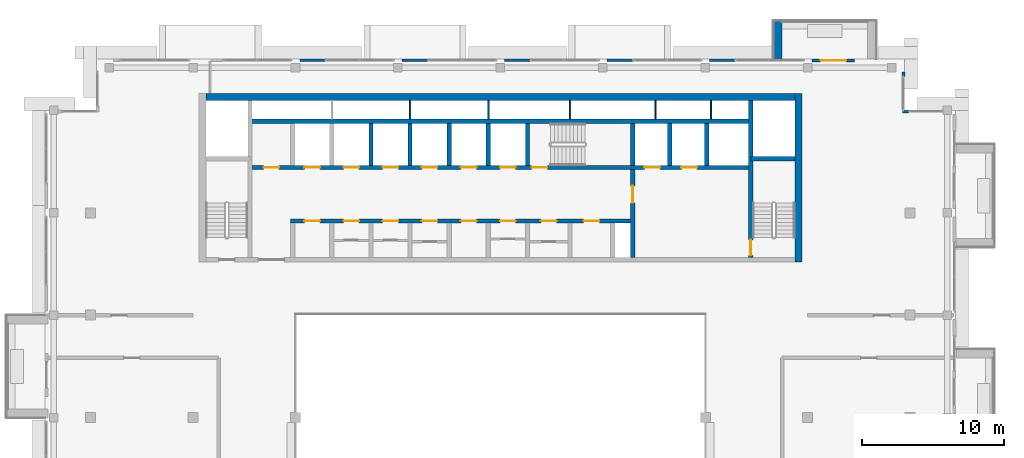
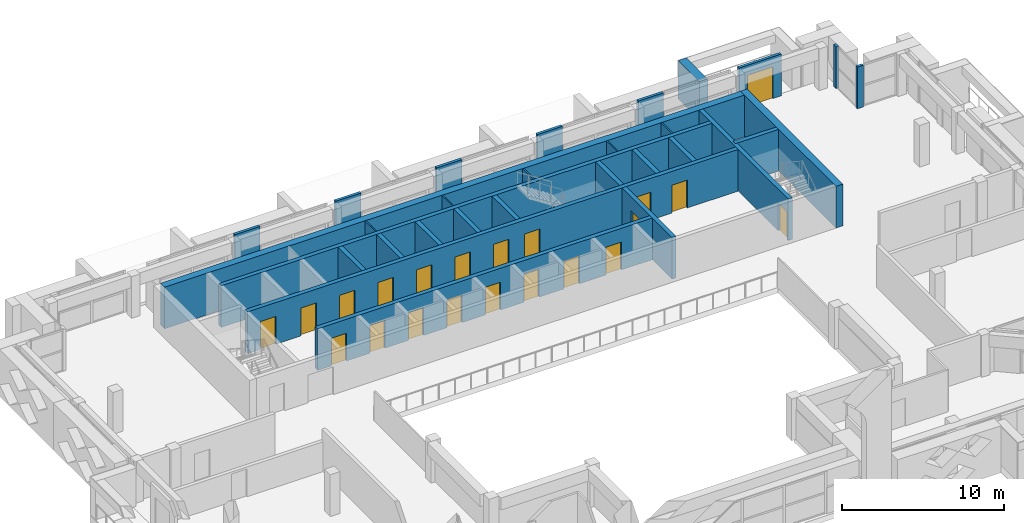
# One storey, part 14 of 22: 30 walls, 21 doors, 21 openings.
"""IFC4 building model written with IfcOpenShell, lengths in metres."""

from ifc_helpers import new_model, si_unit, direction, frame, frame_2d, origin, place, context, subcontext, project, spatial, rectangle, extrude, material, layer, layer_set, type_object, element, fill, save


model = new_model("IFC4")

# Units and contexts
model_context = context("Model", 3, precision=1e-05, world=origin(), true_north=direction((0.0, 1.0)))
body_context = subcontext(model_context, "Body", "Model", "MODEL_VIEW")
ifc_project = project(units=[si_unit("LENGTHUNIT", "METRE"), si_unit("AREAUNIT", "SQUARE_METRE"), si_unit("VOLUMEUNIT", "CUBIC_METRE"), si_unit("PLANEANGLEUNIT", "RADIAN"), si_unit("MASSUNIT", "GRAM", prefix="KILO")], contexts=[model_context])

# Site, building, storey
site_placement = place(None, origin())
site = spatial("IfcSite", under=ifc_project, at=site_placement, CompositionType="ELEMENT")
building_placement = place(site_placement, origin())
building = spatial("IfcBuilding", under=site, at=building_placement, Name="Saffron Iwan Residences", CompositionType="ELEMENT")
storey_placement = place(building_placement, frame((0.0, 0.0, 271.0)))
storey = spatial("IfcBuildingStorey", under=building, at=storey_placement, Name="L73", CompositionType="ELEMENT", Elevation=271.0)

# Walls
ifc_material_1 = material(Name="Concrete C50/60 white painted", Category="concrete")
ifc_layer_1 = layer(ifc_material_1, 0.60009765625)
ifc_layer_set_1 = layer_set([ifc_layer_1], Name="Concrete C50/60 white painted")
wall_type_1 = type_object("IfcWallType", Name="BALCONY FIN 600", PredefinedType="SOLIDWALL", material=ifc_layer_set_1)
wall_1_placement = place(storey_placement, frame((69.89990234375, 80.449951171875, 0.0), z_axis=(0.0, 0.0, 1.0), x_axis=(0.0, 1.0, 0.0)))
element("IfcWall", 1, at=wall_1_placement, inside=storey, type_object=wall_type_1, Name="Balcony fin L73 F5-0b", PredefinedType="SOLIDWALL", context=body_context, shape_type="SweptSolid", body=[
    extrude(rectangle(XDim=2.650146484375, YDim=0.60009765625, at=frame_2d((1.3251953125, 0.0))), origin(), (0.0, 0.0, 1.0), 2.90087890625),
])
ifc_material_2 = material(Name="Concrete C40/50", Category="concrete")
ifc_layer_2 = layer(ifc_material_2, 0.199951171875)
ifc_layer_set_2 = layer_set([ifc_layer_2], Name="Concrete C40/50")
wall_type_2 = type_object("IfcWallType", Name="EXTERNAL WALL 200", PredefinedType="SOLIDWALL", material=ifc_layer_set_2)
wall_2_placement = place(storey_placement, frame((79.10009765625, 76.719970703125, 0.0), z_axis=(0.0, 0.0, 1.0), x_axis=(-1.0, 0.0, 0.0)))
element("IfcWall", 2, at=wall_2_placement, inside=storey, type_object=wall_type_2, Name="External wall infill CWE-L73-F3-0", PredefinedType="SOLIDWALL", context=body_context, shape_type="SweptSolid", body=[
    extrude(rectangle(XDim=0.43017578125, YDim=0.199951171875, at=frame_2d((0.215087890625, 0.0))), origin(), (0.0, 0.0, 1.0), 3.14990234375),
])
wall_3_placement = place(storey_placement, frame((78.719970703125, 79.169921875, 0.0), z_axis=(0.0, 0.0, 1.0), x_axis=(0.0, 1.0, 0.0)))
element("IfcWall", 3, at=wall_3_placement, inside=storey, type_object=wall_type_2, Name="External wall infill CWE-L73-F4-0", PredefinedType="SOLIDWALL", context=body_context, shape_type="SweptSolid", body=[
    extrude(rectangle(XDim=0.330078125, YDim=0.199951171875, at=frame_2d((0.1650390625, 0.0))), origin(), (0.0, 0.0, 1.0), 3.14990234375),
])

# Wall, opening, door
wall_4_placement = place(storey_placement, frame((75.300048828125, 80.300048828125, 0.0), z_axis=(0.0, 0.0, 1.0), x_axis=(-1.0, 0.0, 0.0)))
wall_4 = element("IfcWall", 4, at=wall_4_placement, inside=storey, type_object=wall_type_2, Name="External wall L73 F5.D0", PredefinedType="SOLIDWALL", context=body_context, shape_type="SweptSolid", body=[
    extrude(rectangle(XDim=3.0, YDim=0.199951171875, at=frame_2d((1.5, 0.0))), origin(), (0.0, 0.0, 1.0), 3.14990234375),
])
opening_1_placement = place(wall_4_placement, frame((0.60009765625, 0.0, 0.0)))
opening_1 = element("IfcOpeningElement", 5, at=opening_1_placement, cuts=wall_4, Name="Opening BD1", PredefinedType="OPENING", context=body_context, shape_type="SweptSolid", body=[
    extrude(rectangle(XDim=1.800048828125, YDim=2.39990234375, at=frame_2d((0.89990234375, 1.199951171875))), frame((0.0, 0.10986328125, 0.0), z_axis=(0.0, -1.0, 0.0), x_axis=(1.0, 0.0, 0.0)), (0.0, 0.0, 1.0), 0.219970703125),
])
ifc_material_3 = material(Name="Clear glass, laminated double glazed", Category="glass")
door_type_1 = type_object("IfcDoorType", Name="BALCONY DOOR 1800 x 2400", OperationType="DOUBLE_DOOR_SLIDING", PredefinedType="DOOR", material=ifc_material_3)
door_1_placement = place(opening_1_placement, origin())
door_1 = element("IfcDoor", 6, at=door_1_placement, inside=storey, type_object=door_type_1, Name="Terrace door L73 F5.0", OperationType="DOUBLE_DOOR_SLIDING", OverallHeight=2.39990234375, OverallWidth=1.800048828125, PredefinedType="DOOR", context=body_context, shape_type="SweptSolid", body=[
    extrude(rectangle(XDim=1.800048828125, YDim=2.39990234375, at=frame_2d((0.89990234375, 1.199951171875))), frame((0.0, 0.02490234375, 0.0), z_axis=(0.0, -1.0, 0.0), x_axis=(1.0, 0.0, 0.0)), (0.0, 0.0, 1.0), 0.050048828125),
])
fill(opening_1, door_1)

# Walls
wall_5_placement = place(storey_placement, frame((66.89990234375, 80.320068359375, 0.0), z_axis=(0.0, 0.0, 1.0), x_axis=(-1.0, 0.0, 0.0)))
element("IfcWall", 7, at=wall_5_placement, inside=storey, type_object=wall_type_2, Name="External wall infill CWE-L73-F5-1", PredefinedType="SOLIDWALL", context=body_context, shape_type="SweptSolid", body=[
    extrude(rectangle(XDim=1.7998046875, YDim=0.199951171875, at=frame_2d((0.89990234375, 0.0))), origin(), (0.0, 0.0, 1.0), 3.14990234375),
])
for number, where, z_axis, x_axis, name in (
    (8, (59.699951171875, 80.320068359375, 0.0), (0.0, 0.0, 1.0), (-1.0, 0.0, 0.0), "External wall infill CWE-L73-F5-2"),
    (9, (52.5, 80.320068359375, 0.0), (0.0, 0.0, 1.0), (-1.0, 0.0, 0.0), "External wall infill CWE-L73-F5-3"),
    (10, (45.300048828125, 80.320068359375, 0.0), (0.0, 0.0, 1.0), (-1.0, 0.0, 0.0), "External wall infill CWE-L73-F5-4"),
    (11, (38.10009765625, 80.320068359375, 0.0), (0.0, 0.0, 1.0), (-1.0, 0.0, 0.0), "External wall infill CWE-L73-F5-5"),
):
    element("IfcWall", number, at=place(storey_placement, frame(where, z_axis=z_axis, x_axis=x_axis)), inside=storey, type_object=wall_type_2, Name=name, PredefinedType="SOLIDWALL", context=body_context, shape_type="SweptSolid", body=[
        extrude(rectangle(XDim=1.800048828125, YDim=0.199951171875, at=frame_2d((0.89990234375, 0.0))), origin(), (0.0, 0.0, 1.0), 3.14990234375),
    ])
ifc_material_4 = material(Name="Fire-rated plasterboard partition")
ifc_layer_3 = layer(ifc_material_4, 0.10009765625)
ifc_layer_set_3 = layer_set([ifc_layer_3], Name="Fire-rated plasterboard partition")
wall_type_3 = type_object("IfcWallType", Name="Riser partition 100", PredefinedType="PARTITIONING", material=ifc_layer_set_3)
for number, where, z_axis, x_axis, name in (
    (12, (44.050048828125, 76.175048828125, 0.0), (0.0, 0.0, 1.0), (0.0, 1.0, 0.0), "Core partition P07"),
    (13, (49.550048828125, 76.175048828125, 0.0), (0.0, 0.0, 1.0), (0.0, 1.0, 0.0), "Core partition P08"),
    (14, (55.300048828125, 76.175048828125, 0.0), (0.0, 0.0, 1.0), (0.0, 1.0, 0.0), "Core partition P09"),
    (15, (61.300048828125, 76.175048828125, 0.0), (0.0, 0.0, 1.0), (0.0, 1.0, 0.0), "Core partition P10"),
    (16, (65.199951171875, 76.175048828125, 0.0), (0.0, 0.0, 1.0), (0.0, 1.0, 0.0), "Core partition P11"),
):
    element("IfcWall", number, at=place(storey_placement, frame(where, z_axis=z_axis, x_axis=x_axis)), inside=storey, type_object=wall_type_3, Name=name, PredefinedType="PARTITIONING", context=body_context, shape_type="SweptSolid", body=[
        extrude(rectangle(XDim=1.324951171875, YDim=0.10009765625, at=frame_2d((0.66259765625, 0.0))), origin(), (0.0, 0.0, 1.0), 3.14990234375),
    ])

# Wall, openings, doors
ifc_layer_4 = layer(ifc_material_2, 0.300048828125)
ifc_layer_set_4 = layer_set([ifc_layer_4], Name="Concrete C40/50")
wall_type_4 = type_object("IfcWallType", Name="WALL CORE 300 C40/50 3150 HIGH", PredefinedType="SHEAR", material=ifc_layer_set_4)
wall_6_placement = place(storey_placement, frame((35.64990234375, 69.02490234375, 0.0), z_axis=(0.0, 0.0, 1.0), x_axis=(1.0, 0.0, 0.0)))
wall_6 = element("IfcWall", 17, at=wall_6_placement, inside=storey, type_object=wall_type_4, Name="Core wall", PredefinedType="SHEAR", context=body_context, shape_type="SweptSolid", body=[
    extrude(rectangle(XDim=24.050048828125, YDim=0.300048828125, at=frame_2d((12.02490234375, 0.0))), origin(), (0.0, 0.0, 1.0), 3.14990234375),
])
opening_2_placement = place(wall_6_placement, frame((0.97509765625, 0.0, 0.0)))
opening_2 = element("IfcOpeningElement", 18, at=opening_2_placement, cuts=wall_6, Name="Opening SR", PredefinedType="OPENING", context=body_context, shape_type="SweptSolid", body=[
    extrude(rectangle(XDim=1.10009765625, YDim=2.10009765625, at=frame_2d((0.550048828125, 1.050048828125))), frame((0.0, 0.16015625, 0.0), z_axis=(0.0, -1.0, 0.0), x_axis=(1.0, 0.0, 0.0)), (0.0, 0.0, 1.0), 0.320068359375),
])
opening_3_placement = place(wall_6_placement, frame((3.72509765625, 0.0, 0.0)))
opening_3 = element("IfcOpeningElement", 19, at=opening_3_placement, cuts=wall_6, Name="Opening SR", PredefinedType="OPENING", context=body_context, shape_type="SweptSolid", body=[
    extrude(rectangle(XDim=1.10009765625, YDim=2.10009765625, at=frame_2d((0.550048828125, 1.050048828125))), frame((0.0, 0.16015625, 0.0), z_axis=(0.0, -1.0, 0.0), x_axis=(1.0, 0.0, 0.0)), (0.0, 0.0, 1.0), 0.320068359375),
])
opening_4_placement = place(wall_6_placement, frame((6.47509765625, 0.0, 0.0)))
opening_4 = element("IfcOpeningElement", 20, at=opening_4_placement, cuts=wall_6, Name="Opening SR", PredefinedType="OPENING", context=body_context, shape_type="SweptSolid", body=[
    extrude(rectangle(XDim=1.10009765625, YDim=2.10009765625, at=frame_2d((0.550048828125, 1.050048828125))), frame((0.0, 0.16015625, 0.0), z_axis=(0.0, -1.0, 0.0), x_axis=(1.0, 0.0, 0.0)), (0.0, 0.0, 1.0), 0.320068359375),
])
opening_5_placement = place(wall_6_placement, frame((9.22509765625, 0.0, 0.0)))
opening_5 = element("IfcOpeningElement", 21, at=opening_5_placement, cuts=wall_6, Name="Opening SR", PredefinedType="OPENING", context=body_context, shape_type="SweptSolid", body=[
    extrude(rectangle(XDim=1.10009765625, YDim=2.10009765625, at=frame_2d((0.550048828125, 1.050048828125))), frame((0.0, 0.16015625, 0.0), z_axis=(0.0, -1.0, 0.0), x_axis=(1.0, 0.0, 0.0)), (0.0, 0.0, 1.0), 0.320068359375),
])
opening_6_placement = place(wall_6_placement, frame((11.97509765625, 0.0, 0.0)))
opening_6 = element("IfcOpeningElement", 22, at=opening_6_placement, cuts=wall_6, Name="Opening SR", PredefinedType="OPENING", context=body_context, shape_type="SweptSolid", body=[
    extrude(rectangle(XDim=1.10009765625, YDim=2.10009765625, at=frame_2d((0.550048828125, 1.050048828125))), frame((0.0, 0.16015625, 0.0), z_axis=(0.0, -1.0, 0.0), x_axis=(1.0, 0.0, 0.0)), (0.0, 0.0, 1.0), 0.320068359375),
])
opening_7_placement = place(wall_6_placement, frame((14.72509765625, 0.0, 0.0)))
opening_7 = element("IfcOpeningElement", 23, at=opening_7_placement, cuts=wall_6, Name="Opening SR", PredefinedType="OPENING", context=body_context, shape_type="SweptSolid", body=[
    extrude(rectangle(XDim=1.10009765625, YDim=2.10009765625, at=frame_2d((0.550048828125, 1.050048828125))), frame((0.0, 0.16015625, 0.0), z_axis=(0.0, -1.0, 0.0), x_axis=(1.0, 0.0, 0.0)), (0.0, 0.0, 1.0), 0.320068359375),
])
opening_8_placement = place(wall_6_placement, frame((17.60009765625, 0.0, 0.0)))
opening_8 = element("IfcOpeningElement", 24, at=opening_8_placement, cuts=wall_6, Name="Opening SR", PredefinedType="OPENING", context=body_context, shape_type="SweptSolid", body=[
    extrude(rectangle(XDim=1.10009765625, YDim=2.10009765625, at=frame_2d((0.550048828125, 1.050048828125))), frame((0.0, 0.16015625, 0.0), z_axis=(0.0, -1.0, 0.0), x_axis=(1.0, 0.0, 0.0)), (0.0, 0.0, 1.0), 0.320068359375),
])
opening_9_placement = place(wall_6_placement, frame((20.60009765625, 0.0, 0.0)))
opening_9 = element("IfcOpeningElement", 25, at=opening_9_placement, cuts=wall_6, Name="Opening SR", PredefinedType="OPENING", context=body_context, shape_type="SweptSolid", body=[
    extrude(rectangle(XDim=1.10009765625, YDim=2.10009765625, at=frame_2d((0.550048828125, 1.050048828125))), frame((0.0, 0.16015625, 0.0), z_axis=(0.0, -1.0, 0.0), x_axis=(1.0, 0.0, 0.0)), (0.0, 0.0, 1.0), 0.320068359375),
])
ifc_material_5 = material(Name="Steel fire door", Category="steel")
door_type_2 = type_object("IfcDoorType", Name="Service door 1100", OperationType="NOTDEFINED", PredefinedType="DOOR", material=ifc_material_5)
door_2_placement = place(opening_2_placement, origin())
door_2 = element("IfcDoor", 26, at=door_2_placement, inside=storey, type_object=door_type_2, Name="Door Communications room", OperationType="SINGLE_SWING_RIGHT", OverallHeight=2.10009765625, OverallWidth=1.10009765625, PredefinedType="DOOR", context=body_context, shape_type="SweptSolid", body=[
    extrude(rectangle(XDim=1.10009765625, YDim=2.10009765625, at=frame_2d((0.550048828125, 1.050048828125))), frame((0.0, 0.02490234375, 0.0), z_axis=(0.0, -1.0, 0.0), x_axis=(1.0, 0.0, 0.0)), (0.0, 0.0, 1.0), 0.050048828125),
])
fill(opening_2, door_2)
door_3_placement = place(opening_3_placement, origin())
door_3 = element("IfcDoor", 27, at=door_3_placement, inside=storey, type_object=door_type_2, Name="Door Switch room", OperationType="SINGLE_SWING_LEFT", OverallHeight=2.10009765625, OverallWidth=1.10009765625, PredefinedType="DOOR", context=body_context, shape_type="SweptSolid", body=[
    extrude(rectangle(XDim=1.10009765625, YDim=2.10009765625, at=frame_2d((0.550048828125, 1.050048828125))), frame((0.0, 0.02490234375, 0.0), z_axis=(0.0, -1.0, 0.0), x_axis=(1.0, 0.0, 0.0)), (0.0, 0.0, 1.0), 0.050048828125),
])
fill(opening_3, door_3)
door_4_placement = place(opening_4_placement, origin())
door_4 = element("IfcDoor", 28, at=door_4_placement, inside=storey, type_object=door_type_2, Name="Door Furniture store", OperationType="SINGLE_SWING_RIGHT", OverallHeight=2.10009765625, OverallWidth=1.10009765625, PredefinedType="DOOR", context=body_context, shape_type="SweptSolid", body=[
    extrude(rectangle(XDim=1.10009765625, YDim=2.10009765625, at=frame_2d((0.550048828125, 1.050048828125))), frame((0.0, 0.02490234375, 0.0), z_axis=(0.0, -1.0, 0.0), x_axis=(1.0, 0.0, 0.0)), (0.0, 0.0, 1.0), 0.050048828125),
])
fill(opening_4, door_4)
door_5_placement = place(opening_5_placement, origin())
door_5 = element("IfcDoor", 29, at=door_5_placement, inside=storey, type_object=door_type_2, Name="Door Housekeeping store", OperationType="SINGLE_SWING_LEFT", OverallHeight=2.10009765625, OverallWidth=1.10009765625, PredefinedType="DOOR", context=body_context, shape_type="SweptSolid", body=[
    extrude(rectangle(XDim=1.10009765625, YDim=2.10009765625, at=frame_2d((0.550048828125, 1.050048828125))), frame((0.0, 0.02490234375, 0.0), z_axis=(0.0, -1.0, 0.0), x_axis=(1.0, 0.0, 0.0)), (0.0, 0.0, 1.0), 0.050048828125),
])
fill(opening_5, door_5)
door_6_placement = place(opening_6_placement, origin())
door_6 = element("IfcDoor", 30, at=door_6_placement, inside=storey, type_object=door_type_2, Name="Door Cleaner's store", OperationType="SINGLE_SWING_RIGHT", OverallHeight=2.10009765625, OverallWidth=1.10009765625, PredefinedType="DOOR", context=body_context, shape_type="SweptSolid", body=[
    extrude(rectangle(XDim=1.10009765625, YDim=2.10009765625, at=frame_2d((0.550048828125, 1.050048828125))), frame((0.0, 0.02490234375, 0.0), z_axis=(0.0, -1.0, 0.0), x_axis=(1.0, 0.0, 0.0)), (0.0, 0.0, 1.0), 0.050048828125),
])
fill(opening_6, door_6)
door_7_placement = place(opening_7_placement, origin())
door_7 = element("IfcDoor", 31, at=door_7_placement, inside=storey, type_object=door_type_2, Name="Door Trolley store", OperationType="SINGLE_SWING_LEFT", OverallHeight=2.10009765625, OverallWidth=1.10009765625, PredefinedType="DOOR", context=body_context, shape_type="SweptSolid", body=[
    extrude(rectangle(XDim=1.10009765625, YDim=2.10009765625, at=frame_2d((0.550048828125, 1.050048828125))), frame((0.0, 0.02490234375, 0.0), z_axis=(0.0, -1.0, 0.0), x_axis=(1.0, 0.0, 0.0)), (0.0, 0.0, 1.0), 0.050048828125),
])
fill(opening_7, door_7)
door_8_placement = place(opening_8_placement, origin())
door_8 = element("IfcDoor", 32, at=door_8_placement, inside=storey, type_object=door_type_2, Name="Door Luggage store", OperationType="SINGLE_SWING_RIGHT", OverallHeight=2.10009765625, OverallWidth=1.10009765625, PredefinedType="DOOR", context=body_context, shape_type="SweptSolid", body=[
    extrude(rectangle(XDim=1.10009765625, YDim=2.10009765625, at=frame_2d((0.550048828125, 1.050048828125))), frame((0.0, 0.02490234375, 0.0), z_axis=(0.0, -1.0, 0.0), x_axis=(1.0, 0.0, 0.0)), (0.0, 0.0, 1.0), 0.050048828125),
])
fill(opening_8, door_8)
door_9_placement = place(opening_9_placement, origin())
door_9 = element("IfcDoor", 33, at=door_9_placement, inside=storey, type_object=door_type_2, Name="Door Refuse store", OperationType="SINGLE_SWING_RIGHT", OverallHeight=2.10009765625, OverallWidth=1.10009765625, PredefinedType="DOOR", context=body_context, shape_type="SweptSolid", body=[
    extrude(rectangle(XDim=1.10009765625, YDim=2.10009765625, at=frame_2d((0.550048828125, 1.050048828125))), frame((0.0, 0.02490234375, 0.0), z_axis=(0.0, -1.0, 0.0), x_axis=(1.0, 0.0, 0.0)), (0.0, 0.0, 1.0), 0.050048828125),
])
fill(opening_9, door_9)

wall_7_placement = place(storey_placement, frame((32.800048828125, 72.77490234375, 0.0), z_axis=(0.0, 0.0, 1.0), x_axis=(1.0, 0.0, 0.0)))
wall_7 = element("IfcWall", 34, at=wall_7_placement, inside=storey, type_object=wall_type_4, Name="Core wall", PredefinedType="SHEAR", context=body_context, shape_type="SweptSolid", body=[
    extrude(rectangle(XDim=35.199951171875, YDim=0.300048828125, at=frame_2d((17.60009765625, 0.0))), origin(), (0.0, 0.0, 1.0), 3.14990234375),
])
opening_10_placement = place(wall_7_placement, frame((19.800048828125, 0.0, 0.0)))
opening_10 = element("IfcOpeningElement", 35, at=opening_10_placement, cuts=wall_7, Name="Opening SD", PredefinedType="OPENING", context=body_context, shape_type="SweptSolid", body=[
    extrude(rectangle(XDim=1.10009765625, YDim=2.10009765625, at=frame_2d((0.550048828125, 1.050048828125))), frame((0.0, 0.16015625, 0.0), z_axis=(0.0, -1.0, 0.0), x_axis=(1.0, 0.0, 0.0)), (0.0, 0.0, 1.0), 0.320068359375),
])
opening_11_placement = place(wall_7_placement, frame((27.72509765625, 0.0, 0.0)))
opening_11 = element("IfcOpeningElement", 36, at=opening_11_placement, cuts=wall_7, Name="Opening LD", PredefinedType="OPENING", context=body_context, shape_type="SweptSolid", body=[
    extrude(rectangle(XDim=1.10009765625, YDim=2.10009765625, at=frame_2d((0.550048828125, 1.050048828125))), frame((0.0, 0.16015625, 0.0), z_axis=(0.0, -1.0, 0.0), x_axis=(1.0, 0.0, 0.0)), (0.0, 0.0, 1.0), 0.320068359375),
])
opening_12_placement = place(wall_7_placement, frame((30.324951171875, 0.0, 0.0)))
opening_12 = element("IfcOpeningElement", 37, at=opening_12_placement, cuts=wall_7, Name="Opening LD", PredefinedType="OPENING", context=body_context, shape_type="SweptSolid", body=[
    extrude(rectangle(XDim=1.10009765625, YDim=2.10009765625, at=frame_2d((0.550048828125, 1.050048828125))), frame((0.0, 0.16015625, 0.0), z_axis=(0.0, -1.0, 0.0), x_axis=(1.0, 0.0, 0.0)), (0.0, 0.0, 1.0), 0.320068359375),
])
opening_13_placement = place(wall_7_placement, frame((3.824951171875, 0.0, 0.0)))
opening_13 = element("IfcOpeningElement", 38, at=opening_13_placement, cuts=wall_7, Name="Opening LD", PredefinedType="OPENING", context=body_context, shape_type="SweptSolid", body=[
    extrude(rectangle(XDim=1.10009765625, YDim=2.10009765625, at=frame_2d((0.550048828125, 1.050048828125))), frame((0.0, 0.16015625, 0.0), z_axis=(0.0, -1.0, 0.0), x_axis=(1.0, 0.0, 0.0)), (0.0, 0.0, 1.0), 0.320068359375),
])
opening_14_placement = place(wall_7_placement, frame((6.574951171875, 0.0, 0.0)))
opening_14 = element("IfcOpeningElement", 39, at=opening_14_placement, cuts=wall_7, Name="Opening LD", PredefinedType="OPENING", context=body_context, shape_type="SweptSolid", body=[
    extrude(rectangle(XDim=1.10009765625, YDim=2.10009765625, at=frame_2d((0.550048828125, 1.050048828125))), frame((0.0, 0.16015625, 0.0), z_axis=(0.0, -1.0, 0.0), x_axis=(1.0, 0.0, 0.0)), (0.0, 0.0, 1.0), 0.320068359375),
])
opening_15_placement = place(wall_7_placement, frame((9.324951171875, 0.0, 0.0)))
opening_15 = element("IfcOpeningElement", 40, at=opening_15_placement, cuts=wall_7, Name="Opening LD", PredefinedType="OPENING", context=body_context, shape_type="SweptSolid", body=[
    extrude(rectangle(XDim=1.10009765625, YDim=2.10009765625, at=frame_2d((0.550048828125, 1.050048828125))), frame((0.0, 0.16015625, 0.0), z_axis=(0.0, -1.0, 0.0), x_axis=(1.0, 0.0, 0.0)), (0.0, 0.0, 1.0), 0.320068359375),
])
opening_16_placement = place(wall_7_placement, frame((12.074951171875, 0.0, 0.0)))
opening_16 = element("IfcOpeningElement", 41, at=opening_16_placement, cuts=wall_7, Name="Opening LD", PredefinedType="OPENING", context=body_context, shape_type="SweptSolid", body=[
    extrude(rectangle(XDim=1.10009765625, YDim=2.10009765625, at=frame_2d((0.550048828125, 1.050048828125))), frame((0.0, 0.16015625, 0.0), z_axis=(0.0, -1.0, 0.0), x_axis=(1.0, 0.0, 0.0)), (0.0, 0.0, 1.0), 0.320068359375),
])
opening_17_placement = place(wall_7_placement, frame((14.824951171875, 0.0, 0.0)))
opening_17 = element("IfcOpeningElement", 42, at=opening_17_placement, cuts=wall_7, Name="Opening LD", PredefinedType="OPENING", context=body_context, shape_type="SweptSolid", body=[
    extrude(rectangle(XDim=1.10009765625, YDim=2.10009765625, at=frame_2d((0.550048828125, 1.050048828125))), frame((0.0, 0.16015625, 0.0), z_axis=(0.0, -1.0, 0.0), x_axis=(1.0, 0.0, 0.0)), (0.0, 0.0, 1.0), 0.320068359375),
])
opening_18_placement = place(wall_7_placement, frame((17.574951171875, 0.0, 0.0)))
opening_18 = element("IfcOpeningElement", 43, at=opening_18_placement, cuts=wall_7, Name="Opening LD", PredefinedType="OPENING", context=body_context, shape_type="SweptSolid", body=[
    extrude(rectangle(XDim=1.10009765625, YDim=2.10009765625, at=frame_2d((0.550048828125, 1.050048828125))), frame((0.0, 0.16015625, 0.0), z_axis=(0.0, -1.0, 0.0), x_axis=(1.0, 0.0, 0.0)), (0.0, 0.0, 1.0), 0.320068359375),
])
opening_19_placement = place(wall_7_placement, frame((0.949951171875, 0.0, 0.0)))
opening_19 = element("IfcOpeningElement", 44, at=opening_19_placement, cuts=wall_7, Name="Opening SR", PredefinedType="OPENING", context=body_context, shape_type="SweptSolid", body=[
    extrude(rectangle(XDim=1.10009765625, YDim=2.10009765625, at=frame_2d((0.550048828125, 1.050048828125))), frame((0.0, 0.16015625, 0.0), z_axis=(0.0, -1.0, 0.0), x_axis=(1.0, 0.0, 0.0)), (0.0, 0.0, 1.0), 0.320068359375),
])
door_type_3 = type_object("IfcDoorType", Name="Lift landing door 1100", OperationType="SLIDING_TO_LEFT", PredefinedType="DOOR", material=ifc_material_5)
door_10_placement = place(opening_11_placement, origin())
door_10 = element("IfcDoor", 45, at=door_10_placement, inside=storey, type_object=door_type_3, Name="Landing doors FF1", OperationType="SLIDING_TO_LEFT", OverallHeight=2.10009765625, OverallWidth=1.10009765625, PredefinedType="DOOR", context=body_context, shape_type="SweptSolid", body=[
    extrude(rectangle(XDim=1.10009765625, YDim=2.10009765625, at=frame_2d((0.550048828125, 1.050048828125))), frame((0.0, 0.02490234375, 0.0), z_axis=(0.0, -1.0, 0.0), x_axis=(1.0, 0.0, 0.0)), (0.0, 0.0, 1.0), 0.050048828125),
])
fill(opening_11, door_10)
door_11_placement = place(opening_12_placement, origin())
door_11 = element("IfcDoor", 46, at=door_11_placement, inside=storey, type_object=door_type_3, Name="Landing doors FF2", OperationType="SLIDING_TO_LEFT", OverallHeight=2.10009765625, OverallWidth=1.10009765625, PredefinedType="DOOR", context=body_context, shape_type="SweptSolid", body=[
    extrude(rectangle(XDim=1.10009765625, YDim=2.10009765625, at=frame_2d((0.550048828125, 1.050048828125))), frame((0.0, 0.02490234375, 0.0), z_axis=(0.0, -1.0, 0.0), x_axis=(1.0, 0.0, 0.0)), (0.0, 0.0, 1.0), 0.050048828125),
])
fill(opening_12, door_11)
door_12_placement = place(opening_13_placement, origin())
door_12 = element("IfcDoor", 47, at=door_12_placement, inside=storey, type_object=door_type_3, Name="Landing doors HR1", OperationType="SLIDING_TO_LEFT", OverallHeight=2.10009765625, OverallWidth=1.10009765625, PredefinedType="DOOR", context=body_context, shape_type="SweptSolid", body=[
    extrude(rectangle(XDim=1.10009765625, YDim=2.10009765625, at=frame_2d((0.550048828125, 1.050048828125))), frame((0.0, 0.02490234375, 0.0), z_axis=(0.0, -1.0, 0.0), x_axis=(1.0, 0.0, 0.0)), (0.0, 0.0, 1.0), 0.050048828125),
])
fill(opening_13, door_12)
door_13_placement = place(opening_14_placement, origin())
door_13 = element("IfcDoor", 48, at=door_13_placement, inside=storey, type_object=door_type_3, Name="Landing doors HR2", OperationType="SLIDING_TO_LEFT", OverallHeight=2.10009765625, OverallWidth=1.10009765625, PredefinedType="DOOR", context=body_context, shape_type="SweptSolid", body=[
    extrude(rectangle(XDim=1.10009765625, YDim=2.10009765625, at=frame_2d((0.550048828125, 1.050048828125))), frame((0.0, 0.02490234375, 0.0), z_axis=(0.0, -1.0, 0.0), x_axis=(1.0, 0.0, 0.0)), (0.0, 0.0, 1.0), 0.050048828125),
])
fill(opening_14, door_13)
door_14_placement = place(opening_15_placement, origin())
door_14 = element("IfcDoor", 49, at=door_14_placement, inside=storey, type_object=door_type_3, Name="Landing doors HR3", OperationType="SLIDING_TO_LEFT", OverallHeight=2.10009765625, OverallWidth=1.10009765625, PredefinedType="DOOR", context=body_context, shape_type="SweptSolid", body=[
    extrude(rectangle(XDim=1.10009765625, YDim=2.10009765625, at=frame_2d((0.550048828125, 1.050048828125))), frame((0.0, 0.02490234375, 0.0), z_axis=(0.0, -1.0, 0.0), x_axis=(1.0, 0.0, 0.0)), (0.0, 0.0, 1.0), 0.050048828125),
])
fill(opening_15, door_14)
door_15_placement = place(opening_16_placement, origin())
door_15 = element("IfcDoor", 50, at=door_15_placement, inside=storey, type_object=door_type_3, Name="Landing doors HR4", OperationType="SLIDING_TO_LEFT", OverallHeight=2.10009765625, OverallWidth=1.10009765625, PredefinedType="DOOR", context=body_context, shape_type="SweptSolid", body=[
    extrude(rectangle(XDim=1.10009765625, YDim=2.10009765625, at=frame_2d((0.550048828125, 1.050048828125))), frame((0.0, 0.02490234375, 0.0), z_axis=(0.0, -1.0, 0.0), x_axis=(1.0, 0.0, 0.0)), (0.0, 0.0, 1.0), 0.050048828125),
])
fill(opening_16, door_15)
door_16_placement = place(opening_17_placement, origin())
door_16 = element("IfcDoor", 51, at=door_16_placement, inside=storey, type_object=door_type_3, Name="Landing doors HR5", OperationType="SLIDING_TO_LEFT", OverallHeight=2.10009765625, OverallWidth=1.10009765625, PredefinedType="DOOR", context=body_context, shape_type="SweptSolid", body=[
    extrude(rectangle(XDim=1.10009765625, YDim=2.10009765625, at=frame_2d((0.550048828125, 1.050048828125))), frame((0.0, 0.02490234375, 0.0), z_axis=(0.0, -1.0, 0.0), x_axis=(1.0, 0.0, 0.0)), (0.0, 0.0, 1.0), 0.050048828125),
])
fill(opening_17, door_16)
door_17_placement = place(opening_18_placement, origin())
door_17 = element("IfcDoor", 52, at=door_17_placement, inside=storey, type_object=door_type_3, Name="Landing doors HR6", OperationType="SLIDING_TO_LEFT", OverallHeight=2.10009765625, OverallWidth=1.10009765625, PredefinedType="DOOR", context=body_context, shape_type="SweptSolid", body=[
    extrude(rectangle(XDim=1.10009765625, YDim=2.10009765625, at=frame_2d((0.550048828125, 1.050048828125))), frame((0.0, 0.02490234375, 0.0), z_axis=(0.0, -1.0, 0.0), x_axis=(1.0, 0.0, 0.0)), (0.0, 0.0, 1.0), 0.050048828125),
])
fill(opening_18, door_17)
door_18_placement = place(opening_19_placement, origin())
door_18 = element("IfcDoor", 53, at=door_18_placement, inside=storey, type_object=door_type_2, Name="Door Staff WC", OperationType="SINGLE_SWING_LEFT", OverallHeight=2.10009765625, OverallWidth=1.10009765625, PredefinedType="DOOR", context=body_context, shape_type="SweptSolid", body=[
    extrude(rectangle(XDim=1.10009765625, YDim=2.10009765625, at=frame_2d((0.550048828125, 1.050048828125))), frame((0.0, 0.02490234375, 0.0), z_axis=(0.0, -1.0, 0.0), x_axis=(1.0, 0.0, 0.0)), (0.0, 0.0, 1.0), 0.050048828125),
])
fill(opening_19, door_18)
door_type_4 = type_object("IfcDoorType", Name="Stair door 1100", OperationType="NOTDEFINED", PredefinedType="DOOR", material=ifc_material_5)
door_19_placement = place(opening_10_placement, origin())
door_19 = element("IfcDoor", 54, at=door_19_placement, inside=storey, type_object=door_type_4, Name="Stair door ST-C", OperationType="SINGLE_SWING_LEFT", OverallHeight=2.10009765625, OverallWidth=1.10009765625, PredefinedType="DOOR", context=body_context, shape_type="SweptSolid", body=[
    extrude(rectangle(XDim=1.10009765625, YDim=2.10009765625, at=frame_2d((0.550048828125, 1.050048828125))), frame((0.0, 0.02490234375, 0.0), z_axis=(0.0, -1.0, 0.0), x_axis=(1.0, 0.0, 0.0)), (0.0, 0.0, 1.0), 0.050048828125),
])
fill(opening_10, door_19)

# Walls
wall_8_placement = place(storey_placement, frame((32.800048828125, 76.02490234375, 0.0), z_axis=(0.0, 0.0, 1.0), x_axis=(1.0, 0.0, 0.0)))
element("IfcWall", 55, at=wall_8_placement, inside=storey, type_object=wall_type_4, Name="Core wall", PredefinedType="SHEAR", context=body_context, shape_type="SweptSolid", body=[
    extrude(rectangle(XDim=35.199951171875, YDim=0.300048828125, at=frame_2d((17.60009765625, 0.0))), origin(), (0.0, 0.0, 1.0), 3.14990234375),
])
wall_9_placement = place(storey_placement, frame((68.0, 73.39990234375, 0.0), z_axis=(0.0, 0.0, 1.0), x_axis=(1.0, 0.0, 0.0)))
element("IfcWall", 56, at=wall_9_placement, inside=storey, type_object=wall_type_4, Name="Core wall", PredefinedType="SHEAR", context=body_context, shape_type="SweptSolid", body=[
    extrude(rectangle(XDim=3.10009765625, YDim=0.300048828125, at=frame_2d((1.550048828125, 0.0))), origin(), (0.0, 0.0, 1.0), 3.14990234375),
])

# Wall, opening, door
wall_10_placement = place(storey_placement, frame((68.0, 66.449951171875, 0.0), z_axis=(0.0, 0.0, 1.0), x_axis=(0.0, 1.0, 0.0)))
wall_10 = element("IfcWall", 57, at=wall_10_placement, inside=storey, type_object=wall_type_4, Name="Core wall", PredefinedType="SHEAR", context=body_context, shape_type="SweptSolid", body=[
    extrude(rectangle(XDim=11.050048828125, YDim=0.300048828125, at=frame_2d((5.52490234375, 0.0))), origin(), (0.0, 0.0, 1.0), 3.14990234375),
])
opening_20_placement = place(wall_10_placement, frame((0.14990234375, 0.0, 0.0)))
opening_20 = element("IfcOpeningElement", 58, at=opening_20_placement, cuts=wall_10, Name="Opening SD", PredefinedType="OPENING", context=body_context, shape_type="SweptSolid", body=[
    extrude(rectangle(XDim=1.10009765625, YDim=2.10009765625, at=frame_2d((0.550048828125, 1.050048828125))), frame((0.0, 0.16015625, 0.0), z_axis=(0.0, -1.0, 0.0), x_axis=(1.0, 0.0, 0.0)), (0.0, 0.0, 1.0), 0.320068359375),
])
door_20_placement = place(opening_20_placement, origin())
door_20 = element("IfcDoor", 59, at=door_20_placement, inside=storey, type_object=door_type_4, Name="Stair door ST-E", OperationType="SINGLE_SWING_RIGHT", OverallHeight=2.10009765625, OverallWidth=1.10009765625, PredefinedType="DOOR", context=body_context, shape_type="SweptSolid", body=[
    extrude(rectangle(XDim=1.10009765625, YDim=2.10009765625, at=frame_2d((0.550048828125, 1.050048828125))), frame((0.0, 0.02490234375, 0.0), z_axis=(0.0, -1.0, 0.0), x_axis=(1.0, 0.0, 0.0)), (0.0, 0.0, 1.0), 0.050048828125),
])
fill(opening_20, door_20)

wall_11_placement = place(storey_placement, frame((59.699951171875, 66.449951171875, 0.0), z_axis=(0.0, 0.0, 1.0), x_axis=(0.0, 1.0, 0.0)))
wall_11 = element("IfcWall", 60, at=wall_11_placement, inside=storey, type_object=wall_type_4, Name="Core wall", PredefinedType="SHEAR", context=body_context, shape_type="SweptSolid", body=[
    extrude(rectangle(XDim=6.175048828125, YDim=0.300048828125, at=frame_2d((3.08740234375, 0.0))), origin(), (0.0, 0.0, 1.0), 3.14990234375),
])
opening_21_placement = place(wall_11_placement, frame((3.85009765625, 0.0, 0.0)))
opening_21 = element("IfcOpeningElement", 61, at=opening_21_placement, cuts=wall_11, Name="Opening FD", PredefinedType="OPENING", context=body_context, shape_type="SweptSolid", body=[
    extrude(rectangle(XDim=1.199951171875, YDim=2.10009765625, at=frame_2d((0.60009765625, 1.050048828125))), frame((0.0, 0.16015625, 0.0), z_axis=(0.0, -1.0, 0.0), x_axis=(1.0, 0.0, 0.0)), (0.0, 0.0, 1.0), 0.320068359375),
])
door_type_5 = type_object("IfcDoorType", Name="Firefighting lobby door 1200", OperationType="NOTDEFINED", PredefinedType="DOOR", material=ifc_material_5)
door_21_placement = place(opening_21_placement, origin())
door_21 = element("IfcDoor", 62, at=door_21_placement, inside=storey, type_object=door_type_5, Name="Firefighting lobby door", OperationType="SINGLE_SWING_LEFT", OverallHeight=2.10009765625, OverallWidth=1.199951171875, PredefinedType="DOOR", context=body_context, shape_type="SweptSolid", body=[
    extrude(rectangle(XDim=1.199951171875, YDim=2.10009765625, at=frame_2d((0.60009765625, 1.050048828125))), frame((0.0, 0.02490234375, 0.0), z_axis=(0.0, -1.0, 0.0), x_axis=(1.0, 0.0, 0.0)), (0.0, 0.0, 1.0), 0.050048828125),
])
fill(opening_21, door_21)

# Walls
for number, where, z_axis, x_axis, name in (
    (63, (59.699951171875, 72.925048828125, 0.0), (0.0, 0.0, 1.0), (0.0, 1.0, 0.0), "Core wall"),
    (64, (41.300048828125, 72.925048828125, 0.0), (0.0, 0.0, 1.0), (0.0, 1.0, 0.0), "Core wall"),
    (65, (44.050048828125, 72.925048828125, 0.0), (0.0, 0.0, 1.0), (0.0, 1.0, 0.0), "Core wall"),
    (66, (46.800048828125, 72.925048828125, 0.0), (0.0, 0.0, 1.0), (0.0, 1.0, 0.0), "Core wall"),
    (67, (49.550048828125, 72.925048828125, 0.0), (0.0, 0.0, 1.0), (0.0, 1.0, 0.0), "Core wall"),
    (68, (52.300048828125, 72.925048828125, 0.0), (0.0, 0.0, 1.0), (0.0, 1.0, 0.0), "Core wall"),
    (69, (62.300048828125, 72.925048828125, 0.0), (0.0, 0.0, 1.0), (0.0, 1.0, 0.0), "Core wall"),
    (70, (64.89990234375, 72.925048828125, 0.0), (0.0, 0.0, 1.0), (0.0, 1.0, 0.0), "Core wall"),
):
    element("IfcWall", number, at=place(storey_placement, frame(where, z_axis=z_axis, x_axis=x_axis)), inside=storey, type_object=wall_type_4, Name=name, PredefinedType="SHEAR", context=body_context, shape_type="SweptSolid", body=[
        extrude(rectangle(XDim=2.949951171875, YDim=0.300048828125, at=frame_2d((1.47509765625, 0.0))), origin(), (0.0, 0.0, 1.0), 3.14990234375),
    ])
ifc_layer_5 = layer(ifc_material_2, 0.5)
ifc_layer_set_5 = layer_set([ifc_layer_5], Name="Concrete C40/50")
wall_type_5 = type_object("IfcWallType", Name="WALL CORE 500 C40/50 3150 HIGH", PredefinedType="SHEAR", material=ifc_layer_set_5)
wall_12_placement = place(storey_placement, frame((71.35009765625, 66.14990234375, 0.0), z_axis=(0.0, 0.0, 1.0), x_axis=(0.0, 1.0, 0.0)))
element("IfcWall", 71, at=wall_12_placement, inside=storey, type_object=wall_type_5, Name="Core wall", PredefinedType="SHEAR", context=body_context, shape_type="SweptSolid", body=[
    extrude(rectangle(XDim=11.85009765625, YDim=0.5, at=frame_2d((5.925048828125, 0.0))), origin(), (0.0, 0.0, 1.0), 3.14990234375),
])
wall_13_placement = place(storey_placement, frame((29.699951171875, 77.75, 0.0), z_axis=(0.0, 0.0, 1.0), x_axis=(1.0, 0.0, 0.0)))
element("IfcWall", 72, at=wall_13_placement, inside=storey, type_object=wall_type_5, Name="Core wall", PredefinedType="SHEAR", context=body_context, shape_type="SweptSolid", body=[
    extrude(rectangle(XDim=41.400146484375, YDim=0.5, at=frame_2d((20.7001953125, 0.0))), origin(), (0.0, 0.0, 1.0), 3.14990234375),
])

save(model, "model.ifc")
